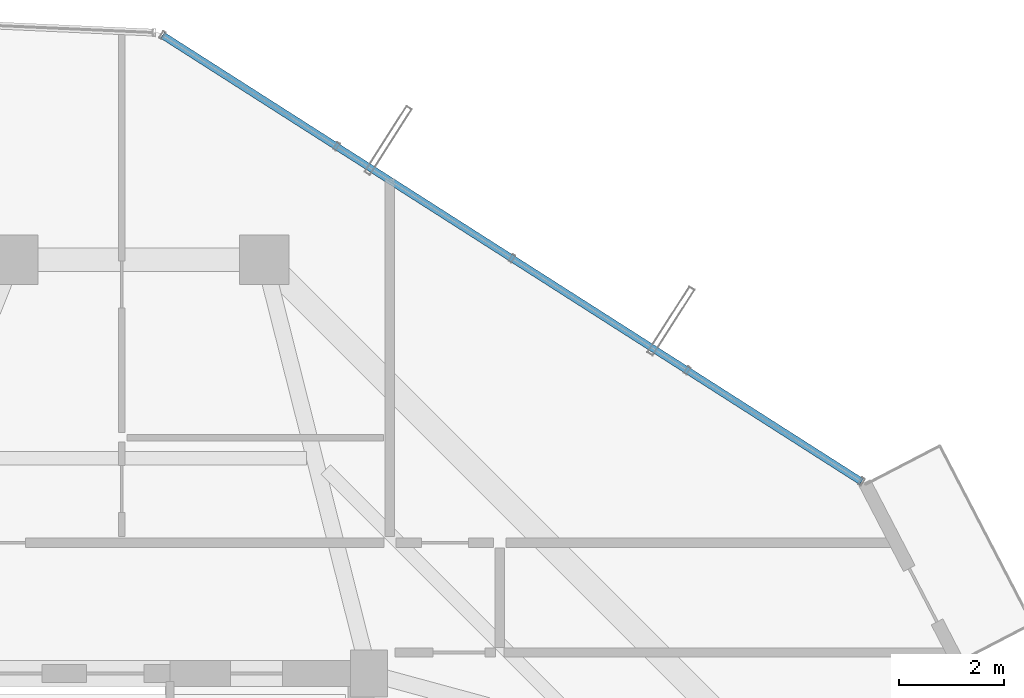
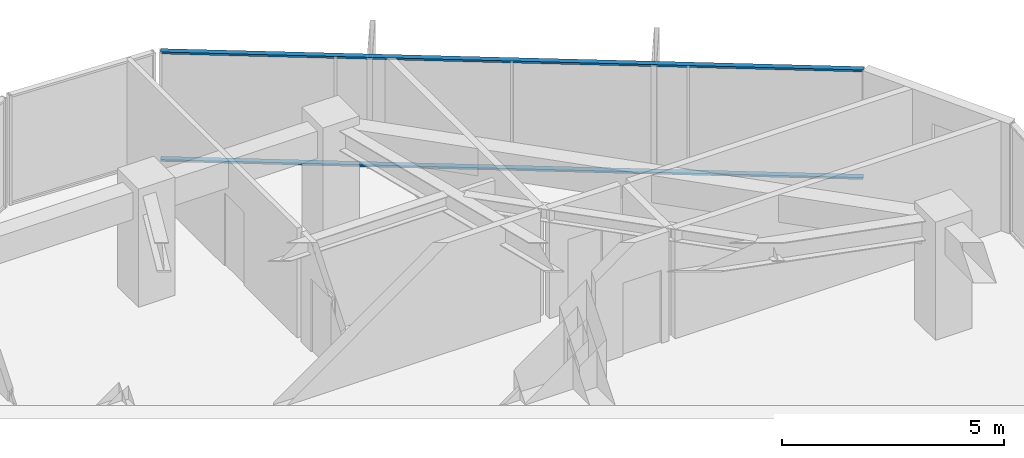
# One storey, part 22 of 29: 2 members, 1 element without a shape of its own.
"""IFC4 building model written with IfcOpenShell, lengths in metres."""

import ifcopenshell
import ifcopenshell.guid

model = None  # the IFC model being written
_history = None  # IfcOwnerHistory: only IFC2X3 demands one
_inside = {}  # id of a spatial element -> (the spatial element, [elements in it])
_under = {}  # id of a project, library or spatial element -> (it, [spatial elements below it])
_declared = {}  # id of a project -> (the project, [libraries it declares])
_typed = {}  # id of a type object -> (the type object, [elements of that type])
_made_of = {}  # id of a material, layer set ... -> (it, [elements and type objects made of it])


def new_model(schema):
    """Start an empty IFC model of exactly this schema.

    Asked for "IFC4X3", IfcOpenShell would pick the latest addendum, in which some entities
    have other attributes; the version numbers below select the first issue.
    IFC2X3 requires an IfcOwnerHistory on every rooted entity: one is made here for all.
    """
    global model, _history
    if schema == "IFC4X3":
        model = ifcopenshell.file(schema_version=(4, 3, 0, 0))
    else:
        model = ifcopenshell.file(schema=schema)
    _inside.clear()
    _under.clear()
    _declared.clear()
    _typed.clear()
    _made_of.clear()
    _history = None
    if model.schema == "IFC2X3":
        org = make("IfcOrganization", Name="unknown")
        user = make(
            "IfcPersonAndOrganization",
            ThePerson=make("IfcPerson", FamilyName="unknown"),
            TheOrganization=org,
        )
        app = make(
            "IfcApplication",
            ApplicationDeveloper=org,
            Version="unknown",
            ApplicationFullName="unknown",
            ApplicationIdentifier="unknown",
        )
        _history = make(
            "IfcOwnerHistory",
            OwningUser=user,
            OwningApplication=app,
            ChangeAction="ADDED",
            CreationDate=0,
        )
    return model


def make(cls, **values):
    """One entity of the class cls with the attributes given. An attribute that is None is left unset."""
    return model.create_entity(
        cls, **{name: value for name, value in values.items() if value is not None}
    )


def rooted(cls, **values):
    """An entity with a GlobalId (a new one), such as an element, a storey or a relation."""
    return make(cls, GlobalId=ifcopenshell.guid.new(), OwnerHistory=_history, **values)


def si_unit(unit_type, name, prefix=None):
    """IfcSIUnit, for example si_unit("LENGTHUNIT", "METRE", prefix="MILLI")."""
    return make("IfcSIUnit", UnitType=unit_type, Prefix=prefix, Name=name)


def assignment(units):
    """IfcUnitAssignment: the units of a project."""
    return None if units is None else make("IfcUnitAssignment", Units=units)


def point(xyz):
    """IfcCartesianPoint."""
    return None if xyz is None else make("IfcCartesianPoint", Coordinates=xyz)


def direction(xyz):
    """IfcDirection."""
    return None if xyz is None else make("IfcDirection", DirectionRatios=xyz)


def frame(location, z_axis=None, x_axis=None):
    """IfcAxis2Placement3D, a coordinate frame: its origin and axes. An axis left out is left unset."""
    return make(
        "IfcAxis2Placement3D",
        Location=point(location),
        Axis=direction(z_axis),
        RefDirection=direction(x_axis),
    )


def frame_2d(location, x_axis=None):
    """IfcAxis2Placement2D, a coordinate frame in the plane: its origin and x axis."""
    return make(
        "IfcAxis2Placement2D", Location=point(location), RefDirection=direction(x_axis)
    )


def origin():
    """The frame at (0, 0, 0) with its axes left unset."""
    return frame((0.0, 0.0, 0.0))


def origin_2d():
    """The frame at (0, 0) in the plane with its x axis left unset."""
    return frame_2d((0.0, 0.0))


def place(relative_to, where):
    """IfcLocalPlacement: puts the frame where relative to a parent placement (None: the world)."""
    return make(
        "IfcLocalPlacement", PlacementRelTo=relative_to, RelativePlacement=where
    )


def context(
    kind, dimensions, precision=None, world=None, true_north=None, identifier=None
):
    """IfcGeometricRepresentationContext, for example the 3D "Model" context."""
    return make(
        "IfcGeometricRepresentationContext",
        ContextIdentifier=identifier,
        ContextType=kind,
        CoordinateSpaceDimension=dimensions,
        Precision=precision,
        WorldCoordinateSystem=world,
        TrueNorth=true_north,
    )


def subcontext(parent, identifier, kind, view, scale=None):
    """IfcGeometricRepresentationSubContext, for example "Body" below "Model"."""
    return make(
        "IfcGeometricRepresentationSubContext",
        ContextIdentifier=identifier,
        ContextType=kind,
        ParentContext=parent,
        TargetScale=scale,
        TargetView=view,
    )


def project(units=None, contexts=None):
    """IfcProject with its units and contexts."""
    return rooted(
        "IfcProject",
        Name="project",
        RepresentationContexts=contexts,
        UnitsInContext=assignment(units),
    )


def spatial(cls, under=None, at=None, **own):
    """A site, building, storey or space (cls), placed at a placement, below another one or the project."""
    s = rooted(cls, ObjectPlacement=at, **own)
    if under is not None:
        _under.setdefault(under.id(), (under, []))[1].append(s)
    return s


def profile(cls, at=None, kind="AREA", **sizes):
    """A parametric profile (cls). Its sizes go by their IFC names, for example OverallWidth=200.0."""
    return make(cls, ProfileType=kind, Position=at, **sizes)


def hollow_rectangle(**sizes):
    """IfcRectangleHollowProfileDef."""
    return profile("IfcRectangleHollowProfileDef", **sizes)


def extrude(swept, where, along, depth):
    """IfcExtrudedAreaSolid: the profile swept, set in the frame where, extruded along a direction by depth."""
    return make(
        "IfcExtrudedAreaSolid",
        SweptArea=swept,
        Position=where,
        ExtrudedDirection=direction(along),
        Depth=depth,
    )


def shape(context_of_items, identifier, shape_type, items):
    """IfcShapeRepresentation: the items that make up one representation, for example the "Body"."""
    return make(
        "IfcShapeRepresentation",
        ContextOfItems=context_of_items,
        RepresentationIdentifier=identifier,
        RepresentationType=shape_type,
        Items=items,
    )


def source(mapping_origin, context_of_items, identifier, shape_type, items):
    """IfcRepresentationMap: a shape defined once, which mapped items show again and again."""
    return make(
        "IfcRepresentationMap",
        MappingOrigin=mapping_origin,
        MappedRepresentation=shape(context_of_items, identifier, shape_type, items),
    )


def transform(
    local_origin,
    x_axis=None,
    y_axis=None,
    z_axis=None,
    scale=None,
    scale2=None,
    scale3=None,
    uniform=True,
):
    """IfcCartesianTransformationOperator3D, or its non-uniform kind. x_axis, y_axis, z_axis: its Axis1, 2, 3."""
    if uniform:
        return make(
            "IfcCartesianTransformationOperator3D",
            Axis1=direction(x_axis),
            Axis2=direction(y_axis),
            LocalOrigin=point(local_origin),
            Scale=scale,
            Axis3=direction(z_axis),
        )
    return make(
        "IfcCartesianTransformationOperator3DnonUniform",
        Axis1=direction(x_axis),
        Axis2=direction(y_axis),
        LocalOrigin=point(local_origin),
        Scale=scale,
        Axis3=direction(z_axis),
        Scale2=scale2,
        Scale3=scale3,
    )


def mapped(mapping_source, mapping_target):
    """IfcMappedItem: shows the shape of a source again, moved by a transform."""
    return make(
        "IfcMappedItem", MappingSource=mapping_source, MappingTarget=mapping_target
    )


def material(Name=None, Category=None):
    """IfcMaterial."""
    return make("IfcMaterial", Name=Name, Category=Category)


def layer(
    of_material, thickness, ventilated=None, Name=None, Category=None, Priority=None
):
    """IfcMaterialLayer: one layer of a wall or slab, of a material (None: an air gap)."""
    return make(
        "IfcMaterialLayer",
        Material=of_material,
        LayerThickness=thickness,
        IsVentilated=ventilated,
        Name=Name,
        Category=Category,
        Priority=Priority,
    )


def layer_set(layers, Name=None):
    """IfcMaterialLayerSet."""
    return make("IfcMaterialLayerSet", MaterialLayers=layers, LayerSetName=Name)


def material_profile(
    of_material, cross_section, Name=None, Category=None, Priority=None
):
    """IfcMaterialProfile: a cross section and its material."""
    return make(
        "IfcMaterialProfile",
        Name=Name,
        Material=of_material,
        Profile=cross_section,
        Priority=Priority,
        Category=Category,
    )


def profile_set(profiles, Name=None, composite=None):
    """IfcMaterialProfileSet."""
    return make(
        "IfcMaterialProfileSet",
        Name=Name,
        MaterialProfiles=profiles,
        CompositeProfile=composite,
    )


def made_of(thing, what):
    """Note that an element or type object is made of a material, layer set ...; save() writes the relation."""
    if what is not None:
        _made_of.setdefault(what.id(), (what, []))[1].append(thing)
    return thing


def type_object(cls, material=None, **own):
    """A type object (cls), such as IfcWallType, which elements share."""
    return made_of(rooted(cls, **own), material)


def element(
    cls,
    number,
    at=None,
    inside=None,
    cuts=None,
    type_object=None,
    material=None,
    context=None,
    identifier="Body",
    shape_type=None,
    held_by="IfcProductDefinitionShape",
    body=None,
    shapes=None,
    **own,
):
    """One element of the class cls, such as IfcWall. Its Tag is "e" and its number.

    at: its placement. inside: the storey or other place that contains it. cuts: it is an
    opening in that element (IfcRelVoidsElement). A single representation is given by context,
    identifier, shape_type and body (its items); several are given by shapes. held_by: the class
    of the entity that holds the representations. save() writes the other relations.
    """
    e = rooted(cls, Tag="e%d" % number, ObjectPlacement=at, **own)
    if body is not None:
        shapes = [shape(context, identifier, shape_type, body)]
    if shapes is not None:
        e.Representation = make(held_by, Representations=shapes)
    if inside is not None:
        _inside.setdefault(inside.id(), (inside, []))[1].append(e)
    if cuts is not None:
        rooted(
            "IfcRelVoidsElement", RelatingBuildingElement=cuts, RelatedOpeningElement=e
        )
    if type_object is not None:
        _typed.setdefault(type_object.id(), (type_object, []))[1].append(e)
    return made_of(e, material)


def aggregate(whole, parts):
    """IfcRelAggregates: a whole, such as a stair, and the parts it consists of."""
    return rooted("IfcRelAggregates", RelatingObject=whole, RelatedObjects=parts)


def save(model, path):
    """Write the relations noted so far, then the file.

    IfcRelAggregates (storeys below a building ...), IfcRelContainedInSpatialStructure (elements
    in a storey), IfcRelDefinesByType, IfcRelAssociatesMaterial and IfcRelDeclares: one each for
    every whole, place, type object, material and project.
    """
    for whole, parts in _under.values():
        aggregate(whole, parts)
    for where, things in _inside.values():
        rooted(
            "IfcRelContainedInSpatialStructure",
            RelatedElements=things,
            RelatingStructure=where,
        )
    for kind, things in _typed.values():
        rooted("IfcRelDefinesByType", RelatedObjects=things, RelatingType=kind)
    for what, things in _made_of.values():
        rooted("IfcRelAssociatesMaterial", RelatedObjects=things, RelatingMaterial=what)
    for by, libraries in _declared.values():
        rooted("IfcRelDeclares", RelatingContext=by, RelatedDefinitions=libraries)
    model.write(path)


model = new_model("IFC4")

# Units and contexts
model_context = context("Model", 3, precision=1e-05, world=origin(), true_north=direction((0.0, 1.0)))
body_context = subcontext(model_context, "Body", "Model", "MODEL_VIEW")
ifc_project = project(units=[si_unit("LENGTHUNIT", "METRE"), si_unit("AREAUNIT", "SQUARE_METRE"), si_unit("VOLUMEUNIT", "CUBIC_METRE"), si_unit("PLANEANGLEUNIT", "RADIAN"), si_unit("MASSUNIT", "GRAM", prefix="KILO")], contexts=[model_context])

# Site, building, storey
site_placement = place(None, origin())
site = spatial("IfcSite", under=ifc_project, at=site_placement, CompositionType="ELEMENT")
building_placement = place(site_placement, origin())
building = spatial("IfcBuilding", under=site, at=building_placement, Name="Veraguas Prism Commons", CompositionType="ELEMENT")
storey_placement = place(building_placement, frame((0.0, 0.0, 215.64990234375)))
storey = spatial("IfcBuildingStorey", under=building, at=storey_placement, Name="L61", CompositionType="ELEMENT", Elevation=215.64990234375)

# Curtain wall, members
ifc_material = material(Name="Anodised aluminium EN AW-6063 T6", Category="aluminium")
ifc_layer = layer(ifc_material, 0.14990234375, Name="Unitised Flush Curtain Wall Zone 3", Category="aluminium")
ifc_layer_set = layer_set([ifc_layer], Name="Anodised aluminium EN AW-6063 T6")
curtain_wall_type = type_object("IfcCurtainWallType", Name="Unitised Flush Curtain Wall Zone 3", PredefinedType="NOTDEFINED", material=ifc_layer_set)
curtain_wall_placement = place(storey_placement, origin())
curtain_wall = element("IfcCurtainWall", 1, at=curtain_wall_placement, inside=storey, type_object=curtain_wall_type, Name="Tower Facade Curtain Wall L61-F1", PredefinedType="NOTDEFINED")
ifc_material_profile = material_profile(ifc_material, hollow_rectangle(XDim=0.054931640625, YDim=0.135009765625, WallThickness=0.0029296875, at=origin_2d()), Name="AL55X135X3")
ifc_profile_set = profile_set([ifc_material_profile], Name="Anodised aluminium EN AW-6063 T6")
member_type = type_object("IfcMemberType", Name="Curtain Wall Transom Standard AL 55x135x3", PredefinedType="USERDEFINED", material=ifc_profile_set)
shared_shape = source(origin(), body_context, "Body", "SweptSolid", [
    extrude(hollow_rectangle(XDim=0.054931640625, YDim=0.135009765625, WallThickness=0.0029296875, at=origin_2d()), origin(), (0.0, 0.0, 1.0), 15.842529296875),
])
member_1_placement = place(storey_placement, frame((40.20751953125, 34.66357421875, 0.027587890625), z_axis=(-0.842829853257, 0.538180117116, 0.0), x_axis=(0.0, 0.0, 1.0)))
member_1 = element("IfcMember", 2, at=member_1_placement, type_object=member_type, Name="CW-Z3 Transom 1", ObjectType="TRANSOM", PredefinedType="USERDEFINED", context=body_context, shape_type="MappedRepresentation", body=[
    mapped(shared_shape, transform((0.0, 0.0, 0.0), scale=1.0)),
])
member_2_placement = place(storey_placement, frame((40.20751953125, 34.66357421875, 2.987548828125), z_axis=(-0.842829853257, 0.538180117116, 0.0), x_axis=(0.0, 0.0, 1.0)))
member_2 = element("IfcMember", 3, at=member_2_placement, type_object=member_type, Name="CW-Z3 Transom 2", ObjectType="TRANSOM", PredefinedType="USERDEFINED", context=body_context, shape_type="MappedRepresentation", body=[
    mapped(shared_shape, transform((0.0, 0.0, 0.0), scale=1.0)),
])
aggregate(curtain_wall, [member_1, member_2])

save(model, "model.ifc")
